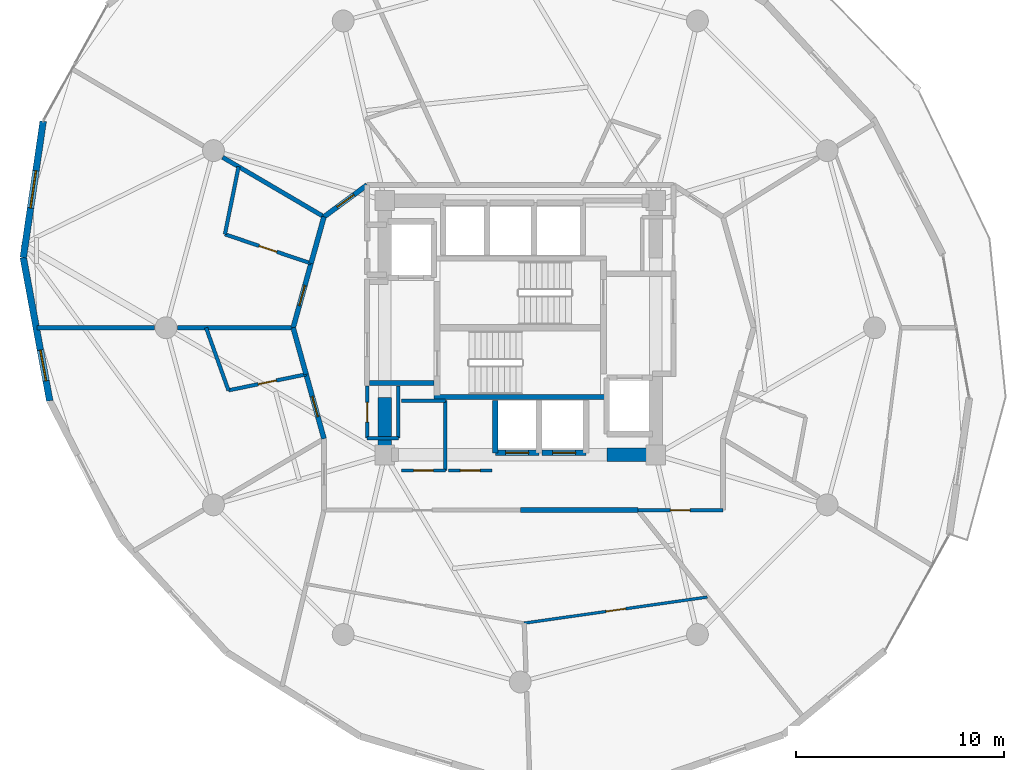
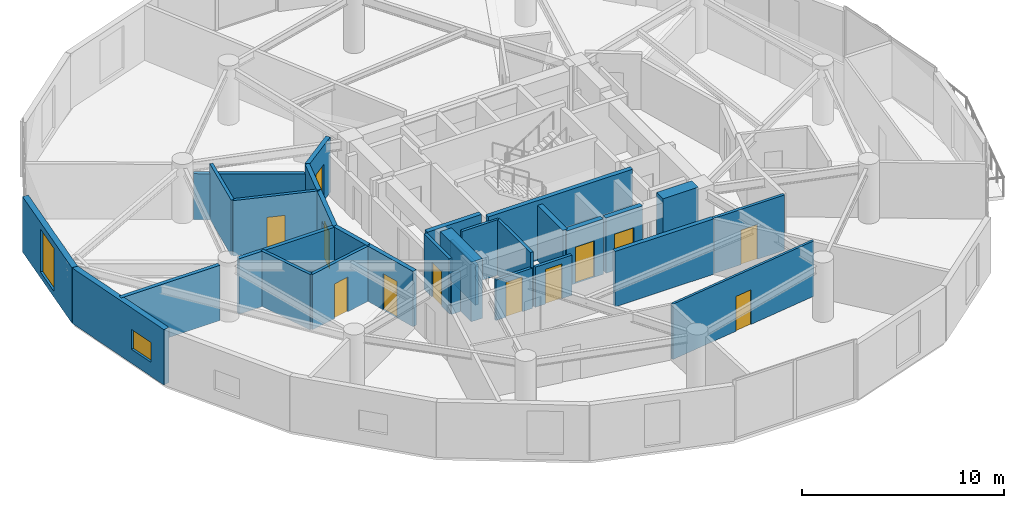
# One storey, part 16 of 21: 31 walls, 12 doors, 2 windows, 14 openings.
"""IFC4 building model written with IfcOpenShell, lengths in metres."""

from ifc_helpers import new_model, si_unit, direction, frame, frame_2d, origin, place, context, subcontext, project, spatial, rectangle, extrude, material, layer, layer_set, type_object, element, fill, save


model = new_model("IFC4")

# Units and contexts
model_context = context("Model", 3, precision=1e-05, world=origin(), true_north=direction((0.0, 1.0)))
body_context = subcontext(model_context, "Body", "Model", "MODEL_VIEW")
ifc_project = project(units=[si_unit("LENGTHUNIT", "METRE"), si_unit("AREAUNIT", "SQUARE_METRE"), si_unit("VOLUMEUNIT", "CUBIC_METRE"), si_unit("PLANEANGLEUNIT", "RADIAN"), si_unit("MASSUNIT", "GRAM", prefix="KILO")], contexts=[model_context])

# Site, building, storey
site_placement = place(None, origin())
site = spatial("IfcSite", under=ifc_project, at=site_placement, CompositionType="ELEMENT")
building_placement = place(site_placement, origin())
building = spatial("IfcBuilding", under=site, at=building_placement, Name="Solvirekh Grand Hotel", CompositionType="ELEMENT")
storey_placement = place(building_placement, frame((0.0, 0.0, 131.39990234375)))
storey = spatial("IfcBuildingStorey", under=building, at=storey_placement, Name="L33", CompositionType="ELEMENT", Elevation=131.39990234375)

# Wall
ifc_material_1 = material(Name="Concrete C50/60", Category="concrete")
ifc_layer_1 = layer(ifc_material_1, 0.35009765625)
ifc_layer_set_1 = layer_set([ifc_layer_1], Name="Concrete C50/60")
wall_type_1 = type_object("IfcWallType", Name="CoreDivWall_RC350", PredefinedType="SOLIDWALL", material=ifc_layer_set_1)
wall_1_placement = place(storey_placement, frame((-4.1298828125, -3.324951171875, 0.0), z_axis=(0.0, 0.0, 1.0), x_axis=(1.0, 0.0, 0.0)))
element("IfcWall", 1, at=wall_1_placement, inside=storey, type_object=wall_type_1, Name="L33 core stair box wall ST-S", PredefinedType="SOLIDWALL", context=body_context, shape_type="SweptSolid", body=[
    extrude(rectangle(XDim=8.259765625, YDim=0.25, at=frame_2d((4.1298828125, 0.0))), origin(), (0.0, 0.0, 1.0), 3.60009765625),
])

# Wall, opening, door
ifc_material_2 = material(Name="Concrete C40/50", Category="concrete")
ifc_layer_2 = layer(ifc_material_2, 0.280029296875)
ifc_layer_set_2 = layer_set([ifc_layer_2], Name="Concrete C40/50")
wall_type_2 = type_object("IfcWallType", Name="CoreShaftWall_RC280", PredefinedType="SOLIDWALL", material=ifc_layer_set_2)
wall_2_placement = place(storey_placement, frame((-1.199951171875, -6.0, 0.0), z_axis=(0.0, 0.0, 1.0), x_axis=(1.0, 0.0, 0.0)))
wall_2 = element("IfcWall", 2, at=wall_2_placement, inside=storey, type_object=wall_type_2, Name="L33 MP-1 hoistway S wall", PredefinedType="SOLIDWALL", context=body_context, shape_type="SweptSolid", body=[
    extrude(rectangle(XDim=2.099853515625, YDim=0.280029296875, at=frame_2d((1.0498046875, 0.0))), origin(), (0.0, 0.0, 1.0), 3.35009765625),
])
opening_1_placement = place(wall_2_placement, frame((0.5, 0.0, 0.0)))
opening_1 = element("IfcOpeningElement", 3, at=opening_1_placement, cuts=wall_2, Name="Opening LD01", PredefinedType="OPENING", context=body_context, shape_type="SweptSolid", body=[
    extrude(rectangle(XDim=1.10009765625, YDim=2.199951171875, at=frame_2d((0.550048828125, 1.10009765625))), frame((0.0, 0.14990234375, 0.0), z_axis=(0.0, -1.0, 0.0), x_axis=(1.0, 0.0, 0.0)), (0.0, 0.0, 1.0), 0.300048828125),
])
ifc_material_3 = material(Name="Fire-Rated Steel Door Assembly", Category="steel")
door_type_1 = type_object("IfcDoorType", Name="Door_LiftLanding_1100X2200", OperationType="SLIDING_TO_LEFT", PredefinedType="DOOR", material=ifc_material_3)
door_1_placement = place(opening_1_placement, origin())
door_1 = element("IfcDoor", 4, at=door_1_placement, inside=storey, type_object=door_type_1, Name="L33 MP-1 sliding lift landing door", OperationType="SLIDING_TO_LEFT", OverallHeight=2.199951171875, OverallWidth=1.10009765625, PredefinedType="DOOR", context=body_context, shape_type="SweptSolid", body=[
    extrude(rectangle(XDim=1.10009765625, YDim=2.199951171875, at=frame_2d((0.550048828125, 1.10009765625))), frame((0.0, 0.02490234375, 0.0), z_axis=(0.0, -1.0, 0.0), x_axis=(1.0, 0.0, 0.0)), (0.0, 0.0, 1.0), 0.050048828125),
])
fill(opening_1, door_1)

# Wall
wall_3_placement = place(storey_placement, frame((-1.199951171875, -3.5, 0.0), z_axis=(0.0, 0.0, 1.0), x_axis=(0.0, -1.0, 0.0)))
element("IfcWall", 5, at=wall_3_placement, inside=storey, type_object=wall_type_2, Name="L33 MP-1 hoistway W wall", PredefinedType="SOLIDWALL", context=body_context, shape_type="SweptSolid", body=[
    extrude(rectangle(XDim=2.5, YDim=0.280029296875, at=frame_2d((1.25, 0.0))), origin(), (0.0, 0.0, 1.0), 3.35009765625),
])

# Wall, opening, door
wall_4_placement = place(storey_placement, frame((1.050048828125, -6.0, 0.0), z_axis=(0.0, 0.0, 1.0), x_axis=(1.0, 0.0, 0.0)))
wall_4 = element("IfcWall", 6, at=wall_4_placement, inside=storey, type_object=wall_type_2, Name="L33 MP-2 hoistway S wall", PredefinedType="SOLIDWALL", context=body_context, shape_type="SweptSolid", body=[
    extrude(rectangle(XDim=2.099853515625, YDim=0.280029296875, at=frame_2d((1.0498046875, 0.0))), origin(), (0.0, 0.0, 1.0), 3.35009765625),
])
opening_2_placement = place(wall_4_placement, frame((0.5, 0.0, 0.0)))
opening_2 = element("IfcOpeningElement", 7, at=opening_2_placement, cuts=wall_4, Name="Opening LD01", PredefinedType="OPENING", context=body_context, shape_type="SweptSolid", body=[
    extrude(rectangle(XDim=1.10009765625, YDim=2.199951171875, at=frame_2d((0.550048828125, 1.10009765625))), frame((0.0, 0.14990234375, 0.0), z_axis=(0.0, -1.0, 0.0), x_axis=(1.0, 0.0, 0.0)), (0.0, 0.0, 1.0), 0.300048828125),
])
door_2_placement = place(opening_2_placement, origin())
door_2 = element("IfcDoor", 8, at=door_2_placement, inside=storey, type_object=door_type_1, Name="L33 MP-2 sliding lift landing door", OperationType="SLIDING_TO_LEFT", OverallHeight=2.199951171875, OverallWidth=1.10009765625, PredefinedType="DOOR", context=body_context, shape_type="SweptSolid", body=[
    extrude(rectangle(XDim=1.10009765625, YDim=2.199951171875, at=frame_2d((0.550048828125, 1.10009765625))), frame((0.0, 0.02490234375, 0.0), z_axis=(0.0, -1.0, 0.0), x_axis=(1.0, 0.0, 0.0)), (0.0, 0.0, 1.0), 0.050048828125),
])
fill(opening_2, door_2)

# Walls
ifc_layer_3 = layer(ifc_material_1, 0.64990234375)
ifc_layer_set_3 = layer_set([ifc_layer_3], Name="Concrete C50/60")
wall_type_3 = type_object("IfcWallType", Name="CoreWall_RC650", PredefinedType="SHEAR", material=ifc_layer_set_3)
wall_5_placement = place(storey_placement, frame((4.14990234375, -6.10009765625, 0.0), z_axis=(0.0, 0.0, 1.0), x_axis=(1.0, 0.0, 0.0)))
element("IfcWall", 9, at=wall_5_placement, inside=storey, type_object=wall_type_3, Name="L33 core corner shear wall SE-S", PredefinedType="SHEAR", context=body_context, shape_type="SweptSolid", body=[
    extrude(rectangle(XDim=2.025146484375, YDim=0.64990234375, at=frame_2d((1.0126953125, 0.0))), origin(), (0.0, 0.0, 1.0), 3.60009765625),
])
wall_6_placement = place(storey_placement, frame((-6.5, -6.425048828125, 0.0), z_axis=(0.0, 0.0, 1.0), x_axis=(0.0, 1.0, 0.0)))
element("IfcWall", 10, at=wall_6_placement, inside=storey, type_object=wall_type_3, Name="L33 core corner shear wall WS-W", PredefinedType="SHEAR", context=body_context, shape_type="SweptSolid", body=[
    extrude(rectangle(XDim=3.074951171875, YDim=0.64990234375, at=frame_2d((1.53759765625, 0.0))), origin(), (0.0, 0.0, 1.0), 3.60009765625),
])

# Wall, opening, window
ifc_material_4 = material(Name="Precast concrete C45/55", Category="concrete")
ifc_layer_4 = layer(ifc_material_4, 0.320068359375)
ifc_layer_set_4 = layer_set([ifc_layer_4], Name="Precast concrete C45/55")
wall_type_4 = type_object("IfcWallType", Name="ExtLobbyWall_RC320", PredefinedType="SOLIDWALL", material=ifc_layer_set_4)
wall_7_placement = place(storey_placement, frame((-23.84912109375, 3.365966796875, 0.0), z_axis=(0.0, 0.0, 1.0), x_axis=(0.144273756633, 0.989537812894, 0.0)))
wall_7 = element("IfcWall", 11, at=wall_7_placement, inside=storey, type_object=wall_type_4, Name="L33 exterior structural wall chord 12", PredefinedType="SOLIDWALL", context=body_context, shape_type="SweptSolid", body=[
    extrude(rectangle(XDim=6.613037109375, YDim=0.320068359375, at=frame_2d((3.306640625, 0.0))), origin(), (0.0, 0.0, 1.0), 3.35009765625),
])
opening_3_placement = place(wall_7_placement, frame((2.406982421875, 0.0, 0.35009765625)))
opening_3 = element("IfcOpeningElement", 12, at=opening_3_placement, cuts=wall_7, Name="Opening W02", PredefinedType="OPENING", context=body_context, shape_type="SweptSolid", body=[
    extrude(rectangle(XDim=1.800048828125, YDim=2.60009765625, at=frame_2d((0.89990234375, 1.300048828125))), frame((0.0, 0.169921875, 0.0), z_axis=(0.0, -1.0, 0.0), x_axis=(1.0, 0.0, 0.0)), (0.0, 0.0, 1.0), 0.340087890625),
])
ifc_material_5 = material(Name="Low-E Tinted Bronze Laminated Glass", Category="aluminium")
window_type_1 = type_object("IfcWindowType", Name="Win_LobbyExt_1800X2600", PartitioningType="SINGLE_PANEL", PredefinedType="WINDOW", material=ifc_material_5)
window_1_placement = place(opening_3_placement, origin())
window_1 = element("IfcWindow", 13, at=window_1_placement, inside=storey, type_object=window_type_1, Name="L33 panoramic bronze-framed window 12", OverallHeight=2.60009765625, OverallWidth=1.800048828125, PartitioningType="SINGLE_PANEL", PredefinedType="WINDOW", context=body_context, shape_type="SweptSolid", body=[
    extrude(rectangle(XDim=1.800048828125, YDim=2.60009765625, at=frame_2d((0.89990234375, 1.300048828125))), frame((0.0, 0.030029296875, 0.0), z_axis=(0.0, -1.0, 0.0), x_axis=(1.0, 0.0, 0.0)), (0.0, 0.0, 1.0), 0.06005859375),
])
fill(opening_3, window_1)

wall_8_placement = place(storey_placement, frame((-22.580078125, -3.507080078125, 0.0), z_axis=(0.0, 0.0, 1.0), x_axis=(-0.181571385037, 0.983377766749, 0.0)))
wall_8 = element("IfcWall", 14, at=wall_8_placement, inside=storey, type_object=wall_type_4, Name="L33 cantilevered deck support wall chord 13", PredefinedType="SOLIDWALL", context=body_context, shape_type="SweptSolid", body=[
    extrude(rectangle(XDim=6.9892578125, YDim=0.320068359375, at=frame_2d((3.49462890625, 0.0))), origin(), (0.0, 0.0, 1.0), 3.35009765625),
])
opening_4_placement = place(wall_8_placement, frame((0.97998046875, 0.0, 0.85009765625)))
opening_4 = element("IfcOpeningElement", 15, at=opening_4_placement, cuts=wall_8, Name="Opening W05", PredefinedType="OPENING", context=body_context, shape_type="SweptSolid", body=[
    extrude(rectangle(XDim=1.5, YDim=1.199951171875, at=frame_2d((0.75, 0.60009765625))), frame((0.0, 0.169921875, 0.0), z_axis=(0.0, -1.0, 0.0), x_axis=(1.0, 0.0, 0.0)), (0.0, 0.0, 1.0), 0.340087890625),
])
window_type_2 = type_object("IfcWindowType", Name="Win_PlantVent_1500X1200", PartitioningType="SINGLE_PANEL", PredefinedType="WINDOW", material=ifc_material_5)
window_2_placement = place(opening_4_placement, origin())
window_2 = element("IfcWindow", 16, at=window_2_placement, inside=storey, type_object=window_type_2, Name="L33 bronze-framed vision ribbon window 13", OverallHeight=1.199951171875, OverallWidth=1.5, PartitioningType="SINGLE_PANEL", PredefinedType="WINDOW", context=body_context, shape_type="SweptSolid", body=[
    extrude(rectangle(XDim=1.5, YDim=1.199951171875, at=frame_2d((0.75, 0.60009765625))), frame((0.0, 0.030029296875, 0.0), z_axis=(0.0, -1.0, 0.0), x_axis=(1.0, 0.0, 0.0)), (0.0, 0.0, 1.0), 0.06005859375),
])
fill(opening_4, window_2)

# Walls
ifc_material_6 = material(Name="Acoustic Gypsum Partition Assembly")
ifc_layer_5 = layer(ifc_material_6, 0.1650390625)
ifc_layer_set_5 = layer_set([ifc_layer_5], Name="Acoustic Gypsum Partition Assembly")
wall_type_5 = type_object("IfcWallType", Name="Part_BOH_165", PredefinedType="PARTITIONING", material=ifc_layer_set_5)
wall_9_placement = place(storey_placement, frame((-7.35009765625, -5.300048828125, 0.0), z_axis=(0.0, 0.0, 1.0), x_axis=(1.0, 0.0, 0.0)))
element("IfcWall", 17, at=wall_9_placement, inside=storey, type_object=wall_type_5, Name="L33 L33 Core Linen Store wall 1", PredefinedType="PARTITIONING", context=body_context, shape_type="SweptSolid", body=[
    extrude(rectangle(XDim=1.5, YDim=0.1650390625, at=frame_2d((0.75, 0.0))), origin(), (0.0, 0.0, 1.0), 2.43505859375),
])
wall_10_placement = place(storey_placement, frame((-5.85009765625, -5.300048828125, 0.0), z_axis=(0.0, 0.0, 1.0), x_axis=(0.0, 1.0, 0.0)))
element("IfcWall", 18, at=wall_10_placement, inside=storey, type_object=wall_type_5, Name="L33 L33 Core Linen Store wall 2", PredefinedType="PARTITIONING", context=body_context, shape_type="SweptSolid", body=[
    extrude(rectangle(XDim=2.5, YDim=0.1650390625, at=frame_2d((1.25, 0.0))), origin(), (0.0, 0.0, 1.0), 2.43505859375),
])

# Wall, opening, door
wall_11_placement = place(storey_placement, frame((-7.35009765625, -2.800048828125, 0.0), z_axis=(0.0, 0.0, 1.0), x_axis=(0.0, -1.0, 0.0)))
wall_11 = element("IfcWall", 19, at=wall_11_placement, inside=storey, type_object=wall_type_5, Name="L33 L33 Core Linen Store wall 4", PredefinedType="PARTITIONING", context=body_context, shape_type="SweptSolid", body=[
    extrude(rectangle(XDim=2.5, YDim=0.1650390625, at=frame_2d((1.25, 0.0))), origin(), (0.0, 0.0, 1.0), 3.35009765625),
])
opening_5_placement = place(wall_11_placement, frame((0.77490234375, 0.0, 0.0)))
opening_5 = element("IfcOpeningElement", 20, at=opening_5_placement, cuts=wall_11, Name="Opening D10", PredefinedType="OPENING", context=body_context, shape_type="SweptSolid", body=[
    extrude(rectangle(XDim=0.949951171875, YDim=2.10009765625, at=frame_2d((0.47509765625, 1.050048828125))), frame((0.0, 0.092529296875, 0.0), z_axis=(0.0, -1.0, 0.0), x_axis=(1.0, 0.0, 0.0)), (0.0, 0.0, 1.0), 0.18505859375),
])
ifc_material_7 = material(Name="Anodized Bronze Aluminium 6063-T6", Category="aluminium")
door_type_2 = type_object("IfcDoorType", Name="Door_RoomInt_950X2100", OperationType="NOTDEFINED", PredefinedType="DOOR", material=ifc_material_7)
door_3_placement = place(opening_5_placement, origin())
door_3 = element("IfcDoor", 21, at=door_3_placement, inside=storey, type_object=door_type_2, Name="L33 L33 Core Linen Store door", OperationType="SINGLE_SWING_RIGHT", OverallHeight=2.10009765625, OverallWidth=0.949951171875, PredefinedType="DOOR", context=body_context, shape_type="SweptSolid", body=[
    extrude(rectangle(XDim=0.949951171875, YDim=2.10009765625, at=frame_2d((0.47509765625, 1.050048828125))), frame((0.0, 0.02490234375, 0.0), z_axis=(0.0, -1.0, 0.0), x_axis=(1.0, 0.0, 0.0)), (0.0, 0.0, 1.0), 0.050048828125),
])
fill(opening_5, door_3)

wall_12_placement = place(storey_placement, frame((-5.699951171875, -6.85009765625, 0.0), z_axis=(0.0, 0.0, 1.0), x_axis=(1.0, 0.0, 0.0)))
wall_12 = element("IfcWall", 22, at=wall_12_placement, inside=storey, type_object=wall_type_5, Name="L33 Mid-Zone Housekeeping Store wall 1", PredefinedType="PARTITIONING", context=body_context, shape_type="SweptSolid", body=[
    extrude(rectangle(XDim=2.099853515625, YDim=0.1650390625, at=frame_2d((1.0498046875, 0.0))), origin(), (0.0, 0.0, 1.0), 2.43505859375),
])
opening_6_placement = place(wall_12_placement, frame((0.574951171875, 0.0, 0.0)))
opening_6 = element("IfcOpeningElement", 23, at=opening_6_placement, cuts=wall_12, Name="Opening D10", PredefinedType="OPENING", context=body_context, shape_type="SweptSolid", body=[
    extrude(rectangle(XDim=0.949951171875, YDim=2.10009765625, at=frame_2d((0.47509765625, 1.050048828125))), frame((0.0, 0.092529296875, 0.0), z_axis=(0.0, -1.0, 0.0), x_axis=(1.0, 0.0, 0.0)), (0.0, 0.0, 1.0), 0.18505859375),
])
door_4_placement = place(opening_6_placement, origin())
door_4 = element("IfcDoor", 24, at=door_4_placement, inside=storey, type_object=door_type_2, Name="L33 Mid-Zone Housekeeping Store door", OperationType="SINGLE_SWING_RIGHT", OverallHeight=2.10009765625, OverallWidth=0.949951171875, PredefinedType="DOOR", context=body_context, shape_type="SweptSolid", body=[
    extrude(rectangle(XDim=0.949951171875, YDim=2.10009765625, at=frame_2d((0.47509765625, 1.050048828125))), frame((0.0, 0.02490234375, 0.0), z_axis=(0.0, -1.0, 0.0), x_axis=(1.0, 0.0, 0.0)), (0.0, 0.0, 1.0), 0.050048828125),
])
fill(opening_6, door_4)

# Walls
wall_13_placement = place(storey_placement, frame((-3.60009765625, -6.85009765625, 0.0), z_axis=(0.0, 0.0, 1.0), x_axis=(0.0, 1.0, 0.0)))
element("IfcWall", 25, at=wall_13_placement, inside=storey, type_object=wall_type_5, Name="L33 Mid-Zone Housekeeping Store wall 2", PredefinedType="PARTITIONING", context=body_context, shape_type="SweptSolid", body=[
    extrude(rectangle(XDim=3.35009765625, YDim=0.1650390625, at=frame_2d((1.675048828125, 0.0))), origin(), (0.0, 0.0, 1.0), 3.35009765625),
])
wall_14_placement = place(storey_placement, frame((-3.60009765625, -3.5, 0.0), z_axis=(0.0, 0.0, 1.0), x_axis=(-1.0, 0.0, 0.0)))
element("IfcWall", 26, at=wall_14_placement, inside=storey, type_object=wall_type_5, Name="L33 Mid-Zone Housekeeping Store wall 3", PredefinedType="PARTITIONING", context=body_context, shape_type="SweptSolid", body=[
    extrude(rectangle(XDim=2.099853515625, YDim=0.1650390625, at=frame_2d((1.0498046875, 0.0))), origin(), (0.0, 0.0, 1.0), 3.35009765625),
])

# Wall, opening, door
wall_15_placement = place(storey_placement, frame((-3.449951171875, -6.85009765625, 0.0), z_axis=(0.0, 0.0, 1.0), x_axis=(1.0, 0.0, 0.0)))
wall_15 = element("IfcWall", 27, at=wall_15_placement, inside=storey, type_object=wall_type_5, Name="L33 Mid-Zone Linen Closet wall 1", PredefinedType="PARTITIONING", context=body_context, shape_type="SweptSolid", body=[
    extrude(rectangle(XDim=2.099853515625, YDim=0.1650390625, at=frame_2d((1.0498046875, 0.0))), origin(), (0.0, 0.0, 1.0), 2.43505859375),
])
opening_7_placement = place(wall_15_placement, frame((0.574951171875, 0.0, 0.0)))
opening_7 = element("IfcOpeningElement", 28, at=opening_7_placement, cuts=wall_15, Name="Opening D10", PredefinedType="OPENING", context=body_context, shape_type="SweptSolid", body=[
    extrude(rectangle(XDim=0.949951171875, YDim=2.10009765625, at=frame_2d((0.47509765625, 1.050048828125))), frame((0.0, 0.092529296875, 0.0), z_axis=(0.0, -1.0, 0.0), x_axis=(1.0, 0.0, 0.0)), (0.0, 0.0, 1.0), 0.18505859375),
])
door_5_placement = place(opening_7_placement, origin())
door_5 = element("IfcDoor", 29, at=door_5_placement, inside=storey, type_object=door_type_2, Name="L33 Mid-Zone Linen Closet door", OperationType="SINGLE_SWING_LEFT", OverallHeight=2.10009765625, OverallWidth=0.949951171875, PredefinedType="DOOR", context=body_context, shape_type="SweptSolid", body=[
    extrude(rectangle(XDim=0.949951171875, YDim=2.10009765625, at=frame_2d((0.47509765625, 1.050048828125))), frame((0.0, 0.02490234375, 0.0), z_axis=(0.0, -1.0, 0.0), x_axis=(1.0, 0.0, 0.0)), (0.0, 0.0, 1.0), 0.050048828125),
])
fill(opening_7, door_5)

wall_16_placement = place(storey_placement, frame((5.637939453125, -8.75, 0.0), z_axis=(0.0, 0.0, 1.0), x_axis=(1.0, 0.0, 0.0)))
wall_16 = element("IfcWall", 30, at=wall_16_placement, inside=storey, type_object=wall_type_5, Name="L33 L33 Butler Valet & Linen Steward Room entrance wall", PredefinedType="PARTITIONING", context=body_context, shape_type="SweptSolid", body=[
    extrude(rectangle(XDim=4.08203125, YDim=0.1650390625, at=frame_2d((2.041015625, 0.0))), origin(), (0.0, 0.0, 1.0), 3.35009765625),
])
opening_8_placement = place(wall_16_placement, frame((1.56591796875, 0.0, 0.0)))
opening_8 = element("IfcOpeningElement", 31, at=opening_8_placement, cuts=wall_16, Name="Opening D10", PredefinedType="OPENING", context=body_context, shape_type="SweptSolid", body=[
    extrude(rectangle(XDim=0.949951171875, YDim=2.10009765625, at=frame_2d((0.47509765625, 1.050048828125))), frame((0.0, 0.092529296875, 0.0), z_axis=(0.0, -1.0, 0.0), x_axis=(1.0, 0.0, 0.0)), (0.0, 0.0, 1.0), 0.18505859375),
])
door_6_placement = place(opening_8_placement, origin())
door_6 = element("IfcDoor", 32, at=door_6_placement, inside=storey, type_object=door_type_2, Name="L33 L33 Butler Valet & Linen Steward Room entrance door", OperationType="SINGLE_SWING_LEFT", OverallHeight=2.10009765625, OverallWidth=0.949951171875, PredefinedType="DOOR", context=body_context, shape_type="SweptSolid", body=[
    extrude(rectangle(XDim=0.949951171875, YDim=2.10009765625, at=frame_2d((0.47509765625, 1.050048828125))), frame((0.0, 0.02490234375, 0.0), z_axis=(0.0, -1.0, 0.0), x_axis=(1.0, 0.0, 0.0)), (0.0, 0.0, 1.0), 0.050048828125),
])
fill(opening_8, door_6)

ifc_layer_6 = layer(ifc_material_6, 0.239990234375)
ifc_layer_set_6 = layer_set([ifc_layer_6], Name="Acoustic Gypsum Partition Assembly")
wall_type_6 = type_object("IfcWallType", Name="Part_Corridor_240", PredefinedType="PARTITIONING", material=ifc_layer_set_6)
wall_17_placement = place(storey_placement, frame((-9.419921875, 5.324951171875, 0.0), z_axis=(0.0, 0.0, 1.0), x_axis=(0.805053450612, 0.593202277185, 0.0)))
wall_17 = element("IfcWall", 33, at=wall_17_placement, inside=storey, type_object=wall_type_6, Name="L33 Deluxe Guestroom 3502 entrance wall", PredefinedType="PARTITIONING", context=body_context, shape_type="SweptSolid", body=[
    extrude(rectangle(XDim=2.571044921875, YDim=0.239990234375, at=frame_2d((1.28564453125, 0.0))), origin(), (0.0, 0.0, 1.0), 3.35009765625),
])
opening_9_placement = place(wall_17_placement, frame((0.785888671875, 0.0, 0.0)))
opening_9 = element("IfcOpeningElement", 34, at=opening_9_placement, cuts=wall_17, Name="Opening D07", PredefinedType="OPENING", context=body_context, shape_type="SweptSolid", body=[
    extrude(rectangle(XDim=1.0, YDim=2.199951171875, at=frame_2d((0.5, 1.10009765625))), frame((0.0, 0.1298828125, 0.0), z_axis=(0.0, -1.0, 0.0), x_axis=(1.0, 0.0, 0.0)), (0.0, 0.0, 1.0), 0.260009765625),
])
door_type_3 = type_object("IfcDoorType", Name="Door_GuestEntry_1000X2200", OperationType="NOTDEFINED", PredefinedType="DOOR", material=ifc_material_3)
door_7_placement = place(opening_9_placement, origin())
door_7 = element("IfcDoor", 35, at=door_7_placement, inside=storey, type_object=door_type_3, Name="L33 Deluxe Guestroom 3502 entrance door", OperationType="SINGLE_SWING_RIGHT", OverallHeight=2.199951171875, OverallWidth=1.0, PredefinedType="DOOR", context=body_context, shape_type="SweptSolid", body=[
    extrude(rectangle(XDim=1.0, YDim=2.199951171875, at=frame_2d((0.5, 1.10009765625))), frame((0.0, 0.02490234375, 0.0), z_axis=(0.0, -1.0, 0.0), x_axis=(1.0, 0.0, 0.0)), (0.0, 0.0, 1.0), 0.050048828125),
])
fill(opening_9, door_7)

# Wall
wall_18_placement = place(storey_placement, frame((-9.419921875, 5.324951171875, 0.0), z_axis=(0.0, 0.0, 1.0), x_axis=(-0.268045342481, -0.963406297662, 0.0)))
element("IfcWall", 36, at=wall_18_placement, inside=storey, type_object=wall_type_6, Name="L33 En-suite Bathroom 3503 corridor backing wall", PredefinedType="PARTITIONING", context=body_context, shape_type="SweptSolid", body=[
    extrude(rectangle(XDim=2.32080078125, YDim=0.239990234375, at=frame_2d((1.160400390625, 0.0))), origin(), (0.0, 0.0, 1.0), 3.35009765625),
])

# Wall, opening, door
wall_19_placement = place(storey_placement, frame((-10.0419921875, 3.089111328125, 0.0), z_axis=(0.0, 0.0, 1.0), x_axis=(-0.267592805492, -0.963532091032, 0.0)))
wall_19 = element("IfcWall", 37, at=wall_19_placement, inside=storey, type_object=wall_type_6, Name="L33 Deluxe Guestroom 3503 entrance wall", PredefinedType="PARTITIONING", context=body_context, shape_type="SweptSolid", body=[
    extrude(rectangle(XDim=3.2060546875, YDim=0.239990234375, at=frame_2d((1.60302734375, 0.0))), origin(), (0.0, 0.0, 1.0), 3.35009765625),
])
opening_10_placement = place(wall_19_placement, frame((1.10302734375, 0.0, 0.0)))
opening_10 = element("IfcOpeningElement", 38, at=opening_10_placement, cuts=wall_19, Name="Opening D07", PredefinedType="OPENING", context=body_context, shape_type="SweptSolid", body=[
    extrude(rectangle(XDim=1.0, YDim=2.199951171875, at=frame_2d((0.5, 1.10009765625))), frame((0.0, 0.1298828125, 0.0), z_axis=(0.0, -1.0, 0.0), x_axis=(1.0, 0.0, 0.0)), (0.0, 0.0, 1.0), 0.260009765625),
])
door_8_placement = place(opening_10_placement, origin())
door_8 = element("IfcDoor", 39, at=door_8_placement, inside=storey, type_object=door_type_3, Name="L33 Deluxe Guestroom 3503 entrance door", OperationType="SINGLE_SWING_RIGHT", OverallHeight=2.199951171875, OverallWidth=1.0, PredefinedType="DOOR", context=body_context, shape_type="SweptSolid", body=[
    extrude(rectangle(XDim=1.0, YDim=2.199951171875, at=frame_2d((0.5, 1.10009765625))), frame((0.0, 0.02490234375, 0.0), z_axis=(0.0, -1.0, 0.0), x_axis=(1.0, 0.0, 0.0)), (0.0, 0.0, 1.0), 0.050048828125),
])
fill(opening_10, door_8)

# Wall
wall_20_placement = place(storey_placement, frame((-10.89990234375, 0.0, 0.0), z_axis=(0.0, 0.0, 1.0), x_axis=(0.267920543299, -0.963441011416, 0.0)))
element("IfcWall", 40, at=wall_20_placement, inside=storey, type_object=wall_type_6, Name="L33 En-suite Bathroom 3504 corridor backing wall", PredefinedType="PARTITIONING", context=body_context, shape_type="SweptSolid", body=[
    extrude(rectangle(XDim=2.321044921875, YDim=0.239990234375, at=frame_2d((1.16064453125, 0.0))), origin(), (0.0, 0.0, 1.0), 3.35009765625),
])

# Wall, opening, door
wall_21_placement = place(storey_placement, frame((-10.278076171875, -2.236083984375, 0.0), z_axis=(0.0, 0.0, 1.0), x_axis=(0.267683140967, -0.96350699844, 0.0)))
wall_21 = element("IfcWall", 41, at=wall_21_placement, inside=storey, type_object=wall_type_6, Name="L33 Deluxe Guestroom 3504 entrance wall", PredefinedType="PARTITIONING", context=body_context, shape_type="SweptSolid", body=[
    extrude(rectangle(XDim=3.205810546875, YDim=0.239990234375, at=frame_2d((1.60302734375, 0.0))), origin(), (0.0, 0.0, 1.0), 3.35009765625),
])
opening_11_placement = place(wall_21_placement, frame((1.10302734375, 0.0, 0.0)))
opening_11 = element("IfcOpeningElement", 42, at=opening_11_placement, cuts=wall_21, Name="Opening D07", PredefinedType="OPENING", context=body_context, shape_type="SweptSolid", body=[
    extrude(rectangle(XDim=1.0, YDim=2.199951171875, at=frame_2d((0.5, 1.10009765625))), frame((0.0, 0.1298828125, 0.0), z_axis=(0.0, -1.0, 0.0), x_axis=(1.0, 0.0, 0.0)), (0.0, 0.0, 1.0), 0.260009765625),
])
door_9_placement = place(opening_11_placement, origin())
door_9 = element("IfcDoor", 43, at=door_9_placement, inside=storey, type_object=door_type_3, Name="L33 Deluxe Guestroom 3504 entrance door", OperationType="SINGLE_SWING_RIGHT", OverallHeight=2.199951171875, OverallWidth=1.0, PredefinedType="DOOR", context=body_context, shape_type="SweptSolid", body=[
    extrude(rectangle(XDim=1.0, YDim=2.199951171875, at=frame_2d((0.5, 1.10009765625))), frame((0.0, 0.02490234375, 0.0), z_axis=(0.0, -1.0, 0.0), x_axis=(1.0, 0.0, 0.0)), (0.0, 0.0, 1.0), 0.050048828125),
])
fill(opening_11, door_9)

# Walls
wall_22_placement = place(storey_placement, frame((0.0, -8.75, 0.0), z_axis=(0.0, 0.0, 1.0), x_axis=(1.0, 0.0, 0.0)))
element("IfcWall", 44, at=wall_22_placement, inside=storey, type_object=wall_type_6, Name="L33 L33 Private Media Lounge corridor wall 1", PredefinedType="PARTITIONING", context=body_context, shape_type="SweptSolid", body=[
    extrude(rectangle(XDim=5.637939453125, YDim=0.239990234375, at=frame_2d((2.81884765625, 0.0))), origin(), (0.0, 0.0, 1.0), 3.35009765625),
])
ifc_layer_7 = layer(ifc_material_6, 0.260009765625)
ifc_layer_set_7 = layer_set([ifc_layer_7], Name="Acoustic Gypsum Partition Assembly")
wall_type_7 = type_object("IfcWallType", Name="Part_LobbyFF_260", PredefinedType="PARTITIONING", material=ifc_layer_set_7)
wall_23_placement = place(storey_placement, frame((-7.22509765625, -2.64990234375, 0.0), z_axis=(0.0, 0.0, 1.0), x_axis=(1.0, 0.0, 0.0)))
element("IfcWall", 45, at=wall_23_placement, inside=storey, type_object=wall_type_7, Name="L33 west firefighting lobby south partition", PredefinedType="PARTITIONING", context=body_context, shape_type="SweptSolid", body=[
    extrude(rectangle(XDim=3.09521484375, YDim=0.260009765625, at=frame_2d((1.547607421875, 0.0))), origin(), (0.0, 0.0, 1.0), 3.35009765625),
])

# Wall, opening, door
ifc_layer_8 = layer(ifc_material_6, 0.135009765625)
ifc_layer_set_8 = layer_set([ifc_layer_8], Name="Acoustic Gypsum Partition Assembly")
wall_type_8 = type_object("IfcWallType", Name="Part_RoomInt_135", PredefinedType="PARTITIONING", material=ifc_layer_set_8)
wall_24_placement = place(storey_placement, frame((0.19091796875, -14.175048828125, 0.0), z_axis=(0.0, 0.0, 1.0), x_axis=(0.98998854123, 0.141147753202, 0.0)))
wall_24 = element("IfcWall", 46, at=wall_24_placement, inside=storey, type_object=wall_type_8, Name="L33 L33 Riverfront Tea Belvedere bedroom screen wall", PredefinedType="PARTITIONING", context=body_context, shape_type="SweptSolid", body=[
    extrude(rectangle(XDim=8.869873046875, YDim=0.135009765625, at=frame_2d((4.43505859375, 0.0))), origin(), (0.0, 0.0, 1.0), 3.35009765625),
])
opening_12_placement = place(wall_24_placement, frame((3.9599609375, 0.0, 0.0)))
opening_12 = element("IfcOpeningElement", 47, at=opening_12_placement, cuts=wall_24, Name="Opening D10", PredefinedType="OPENING", context=body_context, shape_type="SweptSolid", body=[
    extrude(rectangle(XDim=0.949951171875, YDim=2.10009765625, at=frame_2d((0.47509765625, 1.050048828125))), frame((0.0, 0.07763671875, 0.0), z_axis=(0.0, -1.0, 0.0), x_axis=(1.0, 0.0, 0.0)), (0.0, 0.0, 1.0), 0.155029296875),
])
door_10_placement = place(opening_12_placement, origin())
door_10 = element("IfcDoor", 48, at=door_10_placement, inside=storey, type_object=door_type_2, Name="L33 L33 Riverfront Tea Belvedere master bedroom door", OperationType="SINGLE_SWING_RIGHT", OverallHeight=2.10009765625, OverallWidth=0.949951171875, PredefinedType="DOOR", context=body_context, shape_type="SweptSolid", body=[
    extrude(rectangle(XDim=0.949951171875, YDim=2.10009765625, at=frame_2d((0.47509765625, 1.050048828125))), frame((0.0, 0.02490234375, 0.0), z_axis=(0.0, -1.0, 0.0), x_axis=(1.0, 0.0, 0.0)), (0.0, 0.0, 1.0), 0.050048828125),
])
fill(opening_12, door_10)

# Walls
ifc_layer_9 = layer(ifc_material_6, 0.2099609375)
ifc_layer_set_9 = layer_set([ifc_layer_9], Name="Acoustic Gypsum Partition Assembly")
wall_type_9 = type_object("IfcWallType", Name="Part_SuiteDemise_210", PredefinedType="PARTITIONING", material=ifc_layer_set_9)
wall_25_placement = place(storey_placement, frame((-9.419921875, 5.324951171875, 0.0), z_axis=(0.0, 0.0, 1.0), x_axis=(-0.862477017481, 0.506096230293, 0.0)))
element("IfcWall", 49, at=wall_25_placement, inside=storey, type_object=wall_type_9, Name="L33 suite radial wall 6 (A)", PredefinedType="PARTITIONING", context=body_context, shape_type="SweptSolid", body=[
    extrude(rectangle(XDim=5.63720703125, YDim=0.2099609375, at=frame_2d((2.818603515625, 0.0))), origin(), (0.0, 0.0, 1.0), 2.791015625),
])
wall_26_placement = place(storey_placement, frame((-10.89990234375, 0.0, 0.0), z_axis=(0.0, 0.0, 1.0), x_axis=(-1.0, 0.0, 0.0)))
element("IfcWall", 50, at=wall_26_placement, inside=storey, type_object=wall_type_9, Name="L33 suite radial wall 7 (A)", PredefinedType="PARTITIONING", context=body_context, shape_type="SweptSolid", body=[
    extrude(rectangle(XDim=5.55517578125, YDim=0.2099609375, at=frame_2d((2.777587890625, 0.0))), origin(), (0.0, 0.0, 1.0), 3.35009765625),
])
wall_27_placement = place(storey_placement, frame((-17.544921875, 0.0, 0.0), z_axis=(0.0, 0.0, 1.0), x_axis=(-1.0, 0.0, 0.0)))
element("IfcWall", 51, at=wall_27_placement, inside=storey, type_object=wall_type_9, Name="L33 suite radial wall 7 (B)", PredefinedType="PARTITIONING", context=body_context, shape_type="SweptSolid", body=[
    extrude(rectangle(XDim=5.64306640625, YDim=0.2099609375, at=frame_2d((2.821533203125, 0.0))), origin(), (0.0, 0.0, 1.0), 3.35009765625),
])
ifc_layer_10 = layer(ifc_material_6, 0.175048828125)
ifc_layer_set_10 = layer_set([ifc_layer_10], Name="Acoustic Gypsum Partition Assembly")
wall_type_10 = type_object("IfcWallType", Name="Plumb_Ensuite_175", PredefinedType="PLUMBINGWALL", material=ifc_layer_set_10)
wall_28_placement = place(storey_placement, frame((-13.51806640625, 7.72998046875, 0.0), z_axis=(0.0, 0.0, 1.0), x_axis=(-0.198086338377, -0.980184575755, 0.0)))
element("IfcWall", 52, at=wall_28_placement, inside=storey, type_object=wall_type_10, Name="L33 En-suite Bathroom 3503 outer plumbing wall", PredefinedType="PLUMBINGWALL", context=body_context, shape_type="SweptSolid", body=[
    extrude(rectangle(XDim=3.311767578125, YDim=0.175048828125, at=frame_2d((1.65576171875, 0.0))), origin(), (0.0, 0.0, 1.0), 3.35009765625),
])

# Wall, opening, door
wall_29_placement = place(storey_placement, frame((-10.0419921875, 3.089111328125, 0.0), z_axis=(0.0, 0.0, 1.0), x_axis=(-0.947478496839, 0.319819477249, 0.0)))
wall_29 = element("IfcWall", 53, at=wall_29_placement, inside=storey, type_object=wall_type_10, Name="L33 En-suite Bathroom 3503 entry plumbing wall", PredefinedType="PLUMBINGWALL", context=body_context, shape_type="SweptSolid", body=[
    extrude(rectangle(XDim=4.361083984375, YDim=0.175048828125, at=frame_2d((2.1806640625, 0.0))), origin(), (0.0, 0.0, 1.0), 3.35009765625),
])
opening_13_placement = place(wall_29_placement, frame((1.73095703125, 0.0, 0.0)))
opening_13 = element("IfcOpeningElement", 54, at=opening_13_placement, cuts=wall_29, Name="Opening D09", PredefinedType="OPENING", context=body_context, shape_type="SweptSolid", body=[
    extrude(rectangle(XDim=0.89990234375, YDim=2.10009765625, at=frame_2d((0.449951171875, 1.050048828125))), frame((0.0, 0.09765625, 0.0), z_axis=(0.0, -1.0, 0.0), x_axis=(1.0, 0.0, 0.0)), (0.0, 0.0, 1.0), 0.195068359375),
])
door_type_4 = type_object("IfcDoorType", Name="Door_Ensuite_900X2100", OperationType="NOTDEFINED", PredefinedType="DOOR", material=ifc_material_7)
door_11_placement = place(opening_13_placement, origin())
door_11 = element("IfcDoor", 55, at=door_11_placement, inside=storey, type_object=door_type_4, Name="L33 En-suite Bathroom 3503 door", OperationType="SINGLE_SWING_LEFT", OverallHeight=2.10009765625, OverallWidth=0.89990234375, PredefinedType="DOOR", context=body_context, shape_type="SweptSolid", body=[
    extrude(rectangle(XDim=0.89990234375, YDim=2.10009765625, at=frame_2d((0.449951171875, 1.050048828125))), frame((0.0, 0.02490234375, 0.0), z_axis=(0.0, -1.0, 0.0), x_axis=(1.0, 0.0, 0.0)), (0.0, 0.0, 1.0), 0.050048828125),
])
fill(opening_13, door_11)

# Wall
wall_30_placement = place(storey_placement, frame((-15.077880859375, 0.0, 0.0), z_axis=(0.0, 0.0, 1.0), x_axis=(0.336656350005, -0.941627581373, 0.0)))
element("IfcWall", 56, at=wall_30_placement, inside=storey, type_object=wall_type_10, Name="L33 En-suite Bathroom 3504 outer plumbing wall", PredefinedType="PLUMBINGWALL", context=body_context, shape_type="SweptSolid", body=[
    extrude(rectangle(XDim=3.190185546875, YDim=0.175048828125, at=frame_2d((1.59521484375, 0.0))), origin(), (0.0, 0.0, 1.0), 3.35009765625),
])

# Wall, opening, door
wall_31_placement = place(storey_placement, frame((-10.278076171875, -2.236083984375, 0.0), z_axis=(0.0, 0.0, 1.0), x_axis=(-0.979418625289, -0.201839432313, 0.0)))
wall_31 = element("IfcWall", 57, at=wall_31_placement, inside=storey, type_object=wall_type_10, Name="L33 En-suite Bathroom 3504 entry plumbing wall", PredefinedType="PLUMBINGWALL", context=body_context, shape_type="SweptSolid", body=[
    extrude(rectangle(XDim=3.80419921875, YDim=0.175048828125, at=frame_2d((1.902099609375, 0.0))), origin(), (0.0, 0.0, 1.0), 3.35009765625),
])
opening_14_placement = place(wall_31_placement, frame((1.451904296875, 0.0, 0.0)))
opening_14 = element("IfcOpeningElement", 58, at=opening_14_placement, cuts=wall_31, Name="Opening D09", PredefinedType="OPENING", context=body_context, shape_type="SweptSolid", body=[
    extrude(rectangle(XDim=0.89990234375, YDim=2.10009765625, at=frame_2d((0.449951171875, 1.050048828125))), frame((0.0, 0.09765625, 0.0), z_axis=(0.0, -1.0, 0.0), x_axis=(1.0, 0.0, 0.0)), (0.0, 0.0, 1.0), 0.195068359375),
])
door_12_placement = place(opening_14_placement, origin())
door_12 = element("IfcDoor", 59, at=door_12_placement, inside=storey, type_object=door_type_4, Name="L33 En-suite Bathroom 3504 door", OperationType="SINGLE_SWING_LEFT", OverallHeight=2.10009765625, OverallWidth=0.89990234375, PredefinedType="DOOR", context=body_context, shape_type="SweptSolid", body=[
    extrude(rectangle(XDim=0.89990234375, YDim=2.10009765625, at=frame_2d((0.449951171875, 1.050048828125))), frame((0.0, 0.02490234375, 0.0), z_axis=(0.0, -1.0, 0.0), x_axis=(1.0, 0.0, 0.0)), (0.0, 0.0, 1.0), 0.050048828125),
])
fill(opening_14, door_12)

save(model, "model.ifc")
